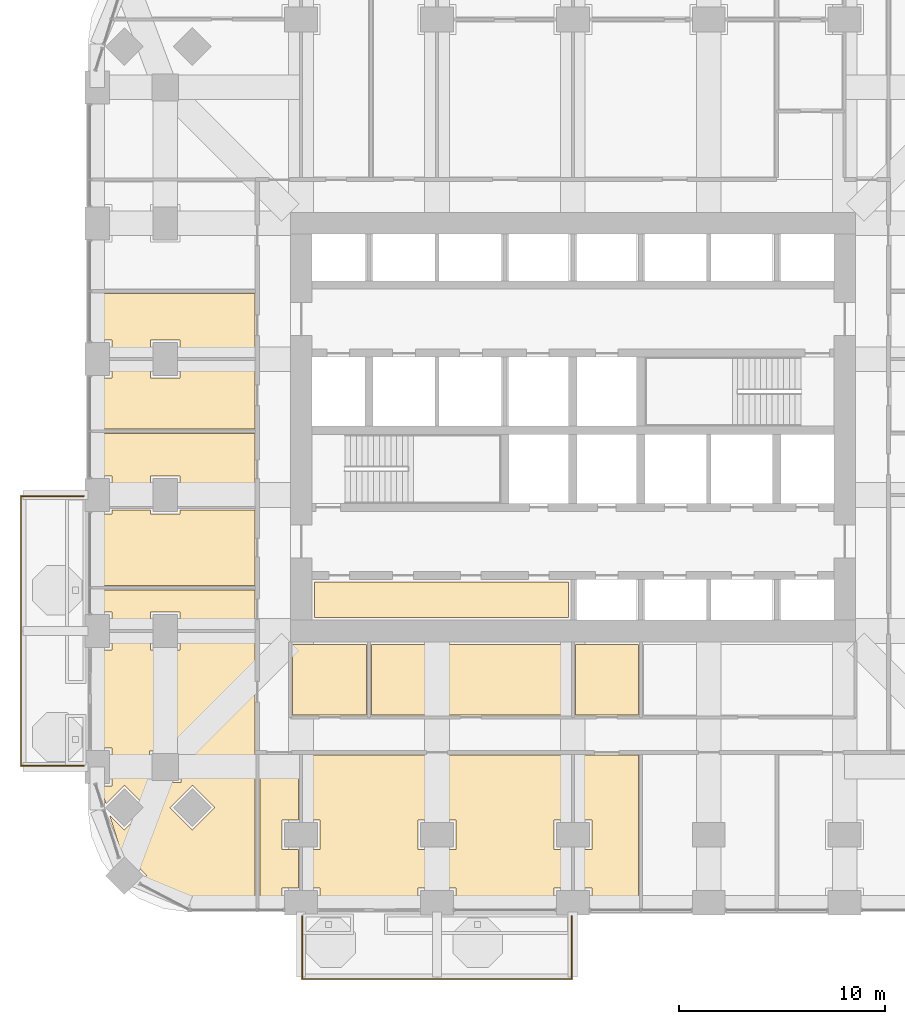
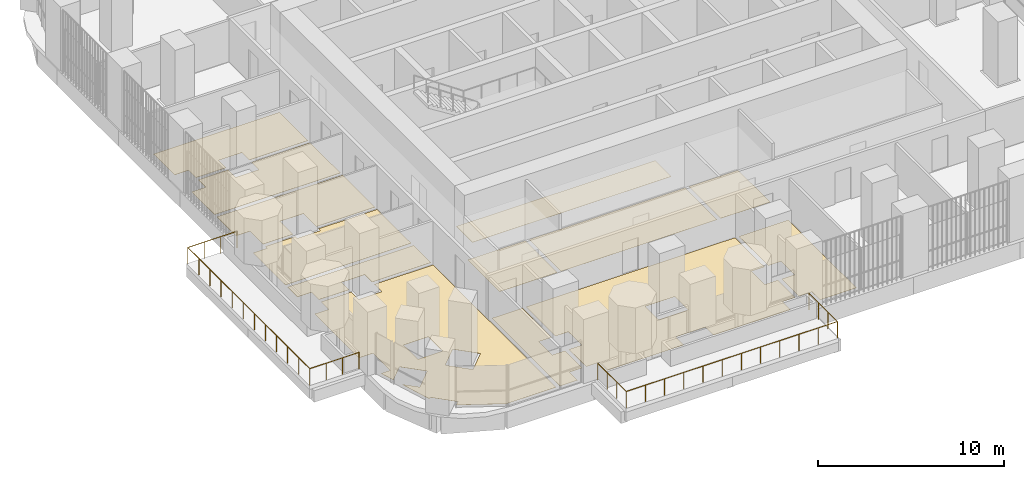
# One storey, part 17 of 21: 13 coverings, 2 railings.
"""IFC4 building model written with IfcOpenShell, lengths in metres."""

from ifc_helpers import new_model, si_unit, direction, frame, origin, place, context, subcontext, project, spatial, polyline, outline, extrude, material, layer, layer_set, type_object, element, save


model = new_model("IFC4")

# Units and contexts
model_context = context("Model", 3, precision=1e-05, world=origin(), true_north=direction((0.0, 1.0)))
body_context = subcontext(model_context, "Body", "Model", "MODEL_VIEW")
ifc_project = project(units=[si_unit("LENGTHUNIT", "METRE"), si_unit("AREAUNIT", "SQUARE_METRE"), si_unit("VOLUMEUNIT", "CUBIC_METRE"), si_unit("PLANEANGLEUNIT", "RADIAN"), si_unit("MASSUNIT", "GRAM", prefix="KILO")], contexts=[model_context])

# Site, building, storey
site_placement = place(None, origin())
site = spatial("IfcSite", under=ifc_project, at=site_placement, CompositionType="ELEMENT")
building_placement = place(site_placement, origin())
building = spatial("IfcBuilding", under=site, at=building_placement, Name="Cobogo Forest Laboratory Tower", CompositionType="ELEMENT")
storey_placement = place(building_placement, frame((0.0, 0.0, 107.39990234375)))
storey = spatial("IfcBuildingStorey", under=building, at=storey_placement, Name="L24", CompositionType="ELEMENT", Elevation=107.39990234375)

# Railings
ifc_material_1 = material(Name="Laminated glass balustrade", Category="glass")
railing_type = type_object("IfcRailingType", Name="BG1 glass balustrade 1100", PredefinedType="GUARDRAIL", material=ifc_material_1)
railing_1_placement = place(storey_placement, frame((13.25, -0.64990234375, 0.0)))
element("IfcRailing", 1, at=railing_1_placement, inside=storey, type_object=railing_type, Name="Balcony balustrade BAL-S1 L24", PredefinedType="GUARDRAIL", context=body_context, shape_type="SweptSolid", body=[
    extrude(outline(polyline([(0.022216796875, 0.00927734375), (0.00927734375, 0.022216796875), (-0.00927734375, 0.022216796875), (-0.022216796875, 0.00927734375), (-0.022216796875, -0.00927734375), (-0.00927734375, -0.022216796875), (0.00927734375, -0.022216796875), (0.022216796875, -0.00927734375), (0.022216796875, 0.00927734375)])), frame((0.0, 0.0, 1.077880859375), z_axis=(0.0, -1.0, 0.0), x_axis=(1.0, 0.0, 0.0)), (0.0, 0.0, 1.0), 3.050048828125),
    extrude(outline(polyline([(0.022216796875, 0.00927734375), (0.00927734375, 0.022216796875), (-0.00927734375, 0.022216796875), (-0.022216796875, 0.00927734375), (-0.022216796875, -0.00927734375), (-0.00927734375, -0.022216796875), (0.00927734375, -0.022216796875), (0.022216796875, -0.00927734375), (0.022216796875, 0.00927734375)])), frame((0.0, -3.050048828125, 1.077880859375), z_axis=(1.0, 0.0, 0.0), x_axis=(0.0, 1.0, 0.0)), (0.0, 0.0, 1.0), 13.10009765625),
    extrude(outline(polyline([(0.022216796875, 0.00927734375), (0.00927734375, 0.022216796875), (-0.00927734375, 0.022216796875), (-0.022216796875, 0.00927734375), (-0.022216796875, -0.00927734375), (-0.00927734375, -0.022216796875), (0.00927734375, -0.022216796875), (0.022216796875, -0.00927734375), (0.022216796875, 0.00927734375)])), frame((13.10009765625, -3.050048828125, 1.077880859375), z_axis=(0.0, 1.0, 0.0), x_axis=(-1.0, 0.0, 0.0)), (0.0, 0.0, 1.0), 3.050048828125),
    extrude(outline(polyline([(0.019287109375, 0.008056640625), (0.008056640625, 0.019287109375), (-0.008056640625, 0.019287109375), (-0.019287109375, 0.008056640625), (-0.019287109375, -0.008056640625), (-0.008056640625, -0.019287109375), (0.008056640625, -0.019287109375), (0.019287109375, -0.008056640625), (0.019287109375, 0.008056640625)])), origin(), (0.0, 0.0, 1.0), 1.077880859375),
    extrude(outline(polyline([(0.019287109375, 0.008056640625), (0.008056640625, 0.019287109375), (-0.008056640625, 0.019287109375), (-0.019287109375, 0.008056640625), (-0.019287109375, -0.008056640625), (-0.008056640625, -0.019287109375), (0.008056640625, -0.019287109375), (0.019287109375, -0.008056640625), (0.019287109375, 0.008056640625)])), frame((0.0, -1.0166015625, 0.0)), (0.0, 0.0, 1.0), 1.077880859375),
    extrude(outline(polyline([(0.019287109375, 0.008056640625), (0.008056640625, 0.019287109375), (-0.008056640625, 0.019287109375), (-0.019287109375, 0.008056640625), (-0.019287109375, -0.008056640625), (-0.008056640625, -0.019287109375), (0.008056640625, -0.019287109375), (0.019287109375, -0.008056640625), (0.019287109375, 0.008056640625)])), frame((0.0, -2.033447265625, 0.0)), (0.0, 0.0, 1.0), 1.077880859375),
    extrude(outline(polyline([(0.019287109375, 0.008056640625), (0.008056640625, 0.019287109375), (-0.008056640625, 0.019287109375), (-0.019287109375, 0.008056640625), (-0.019287109375, -0.008056640625), (-0.008056640625, -0.019287109375), (0.008056640625, -0.019287109375), (0.019287109375, -0.008056640625), (0.019287109375, 0.008056640625)])), frame((0.0, -3.050048828125, 0.0)), (0.0, 0.0, 1.0), 1.077880859375),
    extrude(outline(polyline([(0.019287109375, 0.008056640625), (0.008056640625, 0.019287109375), (-0.008056640625, 0.019287109375), (-0.019287109375, 0.008056640625), (-0.019287109375, -0.008056640625), (-0.008056640625, -0.019287109375), (0.008056640625, -0.019287109375), (0.019287109375, -0.008056640625), (0.019287109375, 0.008056640625)])), frame((1.19091796875, -3.050048828125, 0.0)), (0.0, 0.0, 1.0), 1.077880859375),
    extrude(outline(polyline([(0.019287109375, 0.008056640625), (0.008056640625, 0.019287109375), (-0.008056640625, 0.019287109375), (-0.019287109375, 0.008056640625), (-0.019287109375, -0.008056640625), (-0.008056640625, -0.019287109375), (0.008056640625, -0.019287109375), (0.019287109375, -0.008056640625), (0.019287109375, 0.008056640625)])), frame((2.3818359375, -3.050048828125, 0.0)), (0.0, 0.0, 1.0), 1.077880859375),
    extrude(outline(polyline([(0.019287109375, 0.008056640625), (0.008056640625, 0.019287109375), (-0.008056640625, 0.019287109375), (-0.019287109375, 0.008056640625), (-0.019287109375, -0.008056640625), (-0.008056640625, -0.019287109375), (0.008056640625, -0.019287109375), (0.019287109375, -0.008056640625), (0.019287109375, 0.008056640625)])), frame((3.57275390625, -3.050048828125, 0.0)), (0.0, 0.0, 1.0), 1.077880859375),
    extrude(outline(polyline([(0.019287109375, 0.008056640625), (0.008056640625, 0.019287109375), (-0.008056640625, 0.019287109375), (-0.019287109375, 0.008056640625), (-0.019287109375, -0.008056640625), (-0.008056640625, -0.019287109375), (0.008056640625, -0.019287109375), (0.019287109375, -0.008056640625), (0.019287109375, 0.008056640625)])), frame((4.763671875, -3.050048828125, 0.0)), (0.0, 0.0, 1.0), 1.077880859375),
    extrude(outline(polyline([(0.019287109375, 0.008056640625), (0.008056640625, 0.019287109375), (-0.008056640625, 0.019287109375), (-0.019287109375, 0.008056640625), (-0.019287109375, -0.008056640625), (-0.008056640625, -0.019287109375), (0.008056640625, -0.019287109375), (0.019287109375, -0.008056640625), (0.019287109375, 0.008056640625)])), frame((5.95458984375, -3.050048828125, 0.0)), (0.0, 0.0, 1.0), 1.077880859375),
    extrude(outline(polyline([(0.019287109375, 0.008056640625), (0.008056640625, 0.019287109375), (-0.008056640625, 0.019287109375), (-0.019287109375, 0.008056640625), (-0.019287109375, -0.008056640625), (-0.008056640625, -0.019287109375), (0.008056640625, -0.019287109375), (0.019287109375, -0.008056640625), (0.019287109375, 0.008056640625)])), frame((7.1455078125, -3.050048828125, 0.0)), (0.0, 0.0, 1.0), 1.077880859375),
    extrude(outline(polyline([(0.019287109375, 0.008056640625), (0.008056640625, 0.019287109375), (-0.008056640625, 0.019287109375), (-0.019287109375, 0.008056640625), (-0.019287109375, -0.008056640625), (-0.008056640625, -0.019287109375), (0.008056640625, -0.019287109375), (0.019287109375, -0.008056640625), (0.019287109375, 0.008056640625)])), frame((8.33642578125, -3.050048828125, 0.0)), (0.0, 0.0, 1.0), 1.077880859375),
    extrude(outline(polyline([(0.019287109375, 0.008056640625), (0.008056640625, 0.019287109375), (-0.008056640625, 0.019287109375), (-0.019287109375, 0.008056640625), (-0.019287109375, -0.008056640625), (-0.008056640625, -0.019287109375), (0.008056640625, -0.019287109375), (0.019287109375, -0.008056640625), (0.019287109375, 0.008056640625)])), frame((9.52734375, -3.050048828125, 0.0)), (0.0, 0.0, 1.0), 1.077880859375),
    extrude(outline(polyline([(0.019287109375, 0.008056640625), (0.008056640625, 0.019287109375), (-0.008056640625, 0.019287109375), (-0.019287109375, 0.008056640625), (-0.019287109375, -0.008056640625), (-0.008056640625, -0.019287109375), (0.008056640625, -0.019287109375), (0.019287109375, -0.008056640625), (0.019287109375, 0.008056640625)])), frame((10.71826171875, -3.050048828125, 0.0)), (0.0, 0.0, 1.0), 1.077880859375),
    extrude(outline(polyline([(0.019287109375, 0.008056640625), (0.008056640625, 0.019287109375), (-0.008056640625, 0.019287109375), (-0.019287109375, 0.008056640625), (-0.019287109375, -0.008056640625), (-0.008056640625, -0.019287109375), (0.008056640625, -0.019287109375), (0.019287109375, -0.008056640625), (0.019287109375, 0.008056640625)])), frame((11.9091796875, -3.050048828125, 0.0)), (0.0, 0.0, 1.0), 1.077880859375),
    extrude(outline(polyline([(0.019287109375, 0.008056640625), (0.008056640625, 0.019287109375), (-0.008056640625, 0.019287109375), (-0.019287109375, 0.008056640625), (-0.019287109375, -0.008056640625), (-0.008056640625, -0.019287109375), (0.008056640625, -0.019287109375), (0.019287109375, -0.008056640625), (0.019287109375, 0.008056640625)])), frame((13.10009765625, -3.050048828125, 0.0)), (0.0, 0.0, 1.0), 1.077880859375),
    extrude(outline(polyline([(0.019287109375, 0.008056640625), (0.008056640625, 0.019287109375), (-0.008056640625, 0.019287109375), (-0.019287109375, 0.008056640625), (-0.019287109375, -0.008056640625), (-0.008056640625, -0.019287109375), (0.008056640625, -0.019287109375), (0.019287109375, -0.008056640625), (0.019287109375, 0.008056640625)])), frame((13.10009765625, -2.033447265625, 0.0)), (0.0, 0.0, 1.0), 1.077880859375),
    extrude(outline(polyline([(0.019287109375, 0.008056640625), (0.008056640625, 0.019287109375), (-0.008056640625, 0.019287109375), (-0.019287109375, 0.008056640625), (-0.019287109375, -0.008056640625), (-0.008056640625, -0.019287109375), (0.008056640625, -0.019287109375), (0.019287109375, -0.008056640625), (0.019287109375, 0.008056640625)])), frame((13.10009765625, -1.0166015625, 0.0)), (0.0, 0.0, 1.0), 1.077880859375),
    extrude(outline(polyline([(0.019287109375, 0.008056640625), (0.008056640625, 0.019287109375), (-0.008056640625, 0.019287109375), (-0.019287109375, 0.008056640625), (-0.019287109375, -0.008056640625), (-0.008056640625, -0.019287109375), (0.008056640625, -0.019287109375), (0.019287109375, -0.008056640625), (0.019287109375, 0.008056640625)])), frame((13.10009765625, 0.0, 0.0)), (0.0, 0.0, 1.0), 1.077880859375),
])
railing_2_placement = place(storey_placement, frame((2.64990234375, 6.64990234375, 0.0)))
element("IfcRailing", 2, at=railing_2_placement, inside=storey, type_object=railing_type, Name="Balcony balustrade BAL-W1 L24", PredefinedType="GUARDRAIL", context=body_context, shape_type="SweptSolid", body=[
    extrude(outline(polyline([(0.022216796875, 0.00927734375), (0.00927734375, 0.022216796875), (-0.00927734375, 0.022216796875), (-0.022216796875, 0.00927734375), (-0.022216796875, -0.00927734375), (-0.00927734375, -0.022216796875), (0.00927734375, -0.022216796875), (0.022216796875, -0.00927734375), (0.022216796875, 0.00927734375)])), frame((0.0, 0.0, 1.077880859375), z_axis=(-1.0, 0.0, 0.0), x_axis=(0.0, -1.0, 0.0)), (0.0, 0.0, 1.0), 3.0498046875),
    extrude(outline(polyline([(0.022216796875, 0.00927734375), (0.00927734375, 0.022216796875), (-0.00927734375, 0.022216796875), (-0.022216796875, 0.00927734375), (-0.022216796875, -0.00927734375), (-0.00927734375, -0.022216796875), (0.00927734375, -0.022216796875), (0.022216796875, -0.00927734375), (0.022216796875, 0.00927734375)])), frame((-3.0498046875, 0.0, 1.077880859375), z_axis=(0.0, 1.0, 0.0), x_axis=(-1.0, 0.0, 0.0)), (0.0, 0.0, 1.0), 13.10009765625),
    extrude(outline(polyline([(0.022216796875, 0.00927734375), (0.00927734375, 0.022216796875), (-0.00927734375, 0.022216796875), (-0.022216796875, 0.00927734375), (-0.022216796875, -0.00927734375), (-0.00927734375, -0.022216796875), (0.00927734375, -0.022216796875), (0.022216796875, -0.00927734375), (0.022216796875, 0.00927734375)])), frame((-3.0498046875, 13.10009765625, 1.077880859375), z_axis=(1.0, 0.0, 0.0), x_axis=(0.0, 1.0, 0.0)), (0.0, 0.0, 1.0), 3.0498046875),
    extrude(outline(polyline([(0.019287109375, 0.008056640625), (0.008056640625, 0.019287109375), (-0.008056640625, 0.019287109375), (-0.019287109375, 0.008056640625), (-0.019287109375, -0.008056640625), (-0.008056640625, -0.019287109375), (0.008056640625, -0.019287109375), (0.019287109375, -0.008056640625), (0.019287109375, 0.008056640625)])), origin(), (0.0, 0.0, 1.0), 1.077880859375),
    extrude(outline(polyline([(0.019287109375, 0.008056640625), (0.008056640625, 0.019287109375), (-0.008056640625, 0.019287109375), (-0.019287109375, 0.008056640625), (-0.019287109375, -0.008056640625), (-0.008056640625, -0.019287109375), (0.008056640625, -0.019287109375), (0.019287109375, -0.008056640625), (0.019287109375, 0.008056640625)])), frame((-1.0166015625, 0.0, 0.0)), (0.0, 0.0, 1.0), 1.077880859375),
    extrude(outline(polyline([(0.019287109375, 0.008056640625), (0.008056640625, 0.019287109375), (-0.008056640625, 0.019287109375), (-0.019287109375, 0.008056640625), (-0.019287109375, -0.008056640625), (-0.008056640625, -0.019287109375), (0.008056640625, -0.019287109375), (0.019287109375, -0.008056640625), (0.019287109375, 0.008056640625)])), frame((-2.033203125, 0.0, 0.0)), (0.0, 0.0, 1.0), 1.077880859375),
    extrude(outline(polyline([(0.019287109375, 0.008056640625), (0.008056640625, 0.019287109375), (-0.008056640625, 0.019287109375), (-0.019287109375, 0.008056640625), (-0.019287109375, -0.008056640625), (-0.008056640625, -0.019287109375), (0.008056640625, -0.019287109375), (0.019287109375, -0.008056640625), (0.019287109375, 0.008056640625)])), frame((-3.0498046875, 0.0, 0.0)), (0.0, 0.0, 1.0), 1.077880859375),
    extrude(outline(polyline([(0.019287109375, 0.008056640625), (0.008056640625, 0.019287109375), (-0.008056640625, 0.019287109375), (-0.019287109375, 0.008056640625), (-0.019287109375, -0.008056640625), (-0.008056640625, -0.019287109375), (0.008056640625, -0.019287109375), (0.019287109375, -0.008056640625), (0.019287109375, 0.008056640625)])), frame((-3.0498046875, 1.19091796875, 0.0)), (0.0, 0.0, 1.0), 1.077880859375),
    extrude(outline(polyline([(0.019287109375, 0.008056640625), (0.008056640625, 0.019287109375), (-0.008056640625, 0.019287109375), (-0.019287109375, 0.008056640625), (-0.019287109375, -0.008056640625), (-0.008056640625, -0.019287109375), (0.008056640625, -0.019287109375), (0.019287109375, -0.008056640625), (0.019287109375, 0.008056640625)])), frame((-3.0498046875, 2.3818359375, 0.0)), (0.0, 0.0, 1.0), 1.077880859375),
    extrude(outline(polyline([(0.019287109375, 0.008056640625), (0.008056640625, 0.019287109375), (-0.008056640625, 0.019287109375), (-0.019287109375, 0.008056640625), (-0.019287109375, -0.008056640625), (-0.008056640625, -0.019287109375), (0.008056640625, -0.019287109375), (0.019287109375, -0.008056640625), (0.019287109375, 0.008056640625)])), frame((-3.0498046875, 3.57275390625, 0.0)), (0.0, 0.0, 1.0), 1.077880859375),
    extrude(outline(polyline([(0.019287109375, 0.008056640625), (0.008056640625, 0.019287109375), (-0.008056640625, 0.019287109375), (-0.019287109375, 0.008056640625), (-0.019287109375, -0.008056640625), (-0.008056640625, -0.019287109375), (0.008056640625, -0.019287109375), (0.019287109375, -0.008056640625), (0.019287109375, 0.008056640625)])), frame((-3.0498046875, 4.763671875, 0.0)), (0.0, 0.0, 1.0), 1.077880859375),
    extrude(outline(polyline([(0.019287109375, 0.008056640625), (0.008056640625, 0.019287109375), (-0.008056640625, 0.019287109375), (-0.019287109375, 0.008056640625), (-0.019287109375, -0.008056640625), (-0.008056640625, -0.019287109375), (0.008056640625, -0.019287109375), (0.019287109375, -0.008056640625), (0.019287109375, 0.008056640625)])), frame((-3.0498046875, 5.95458984375, 0.0)), (0.0, 0.0, 1.0), 1.077880859375),
    extrude(outline(polyline([(0.019287109375, 0.008056640625), (0.008056640625, 0.019287109375), (-0.008056640625, 0.019287109375), (-0.019287109375, 0.008056640625), (-0.019287109375, -0.008056640625), (-0.008056640625, -0.019287109375), (0.008056640625, -0.019287109375), (0.019287109375, -0.008056640625), (0.019287109375, 0.008056640625)])), frame((-3.0498046875, 7.1455078125, 0.0)), (0.0, 0.0, 1.0), 1.077880859375),
    extrude(outline(polyline([(0.019287109375, 0.008056640625), (0.008056640625, 0.019287109375), (-0.008056640625, 0.019287109375), (-0.019287109375, 0.008056640625), (-0.019287109375, -0.008056640625), (-0.008056640625, -0.019287109375), (0.008056640625, -0.019287109375), (0.019287109375, -0.008056640625), (0.019287109375, 0.008056640625)])), frame((-3.0498046875, 8.33642578125, 0.0)), (0.0, 0.0, 1.0), 1.077880859375),
    extrude(outline(polyline([(0.019287109375, 0.008056640625), (0.008056640625, 0.019287109375), (-0.008056640625, 0.019287109375), (-0.019287109375, 0.008056640625), (-0.019287109375, -0.008056640625), (-0.008056640625, -0.019287109375), (0.008056640625, -0.019287109375), (0.019287109375, -0.008056640625), (0.019287109375, 0.008056640625)])), frame((-3.0498046875, 9.52734375, 0.0)), (0.0, 0.0, 1.0), 1.077880859375),
    extrude(outline(polyline([(0.019287109375, 0.008056640625), (0.008056640625, 0.019287109375), (-0.008056640625, 0.019287109375), (-0.019287109375, 0.008056640625), (-0.019287109375, -0.008056640625), (-0.008056640625, -0.019287109375), (0.008056640625, -0.019287109375), (0.019287109375, -0.008056640625), (0.019287109375, 0.008056640625)])), frame((-3.0498046875, 10.71826171875, 0.0)), (0.0, 0.0, 1.0), 1.077880859375),
    extrude(outline(polyline([(0.019287109375, 0.008056640625), (0.008056640625, 0.019287109375), (-0.008056640625, 0.019287109375), (-0.019287109375, 0.008056640625), (-0.019287109375, -0.008056640625), (-0.008056640625, -0.019287109375), (0.008056640625, -0.019287109375), (0.019287109375, -0.008056640625), (0.019287109375, 0.008056640625)])), frame((-3.0498046875, 11.9091796875, 0.0)), (0.0, 0.0, 1.0), 1.077880859375),
    extrude(outline(polyline([(0.019287109375, 0.008056640625), (0.008056640625, 0.019287109375), (-0.008056640625, 0.019287109375), (-0.019287109375, 0.008056640625), (-0.019287109375, -0.008056640625), (-0.008056640625, -0.019287109375), (0.008056640625, -0.019287109375), (0.019287109375, -0.008056640625), (0.019287109375, 0.008056640625)])), frame((-3.0498046875, 13.10009765625, 0.0)), (0.0, 0.0, 1.0), 1.077880859375),
    extrude(outline(polyline([(0.019287109375, 0.008056640625), (0.008056640625, 0.019287109375), (-0.008056640625, 0.019287109375), (-0.019287109375, 0.008056640625), (-0.019287109375, -0.008056640625), (-0.008056640625, -0.019287109375), (0.008056640625, -0.019287109375), (0.019287109375, -0.008056640625), (0.019287109375, 0.008056640625)])), frame((-2.033203125, 13.10009765625, 0.0)), (0.0, 0.0, 1.0), 1.077880859375),
    extrude(outline(polyline([(0.019287109375, 0.008056640625), (0.008056640625, 0.019287109375), (-0.008056640625, 0.019287109375), (-0.019287109375, 0.008056640625), (-0.019287109375, -0.008056640625), (-0.008056640625, -0.019287109375), (0.008056640625, -0.019287109375), (0.019287109375, -0.008056640625), (0.019287109375, 0.008056640625)])), frame((-1.0166015625, 13.10009765625, 0.0)), (0.0, 0.0, 1.0), 1.077880859375),
    extrude(outline(polyline([(0.019287109375, 0.008056640625), (0.008056640625, 0.019287109375), (-0.008056640625, 0.019287109375), (-0.019287109375, 0.008056640625), (-0.019287109375, -0.008056640625), (-0.008056640625, -0.019287109375), (0.008056640625, -0.019287109375), (0.019287109375, -0.008056640625), (0.019287109375, 0.008056640625)])), frame((0.0, 13.10009765625, 0.0)), (0.0, 0.0, 1.0), 1.077880859375),
])

# Coverings
ifc_material_2 = material(Name="Carpet tile on raised access floor", Category="flooring")
ifc_layer_1 = layer(ifc_material_2, 0.008056640625)
ifc_layer_set_1 = layer_set([ifc_layer_1], Name="CT1 carpet tile floor 8")
covering_type_1 = type_object("IfcCoveringType", Name="CT1 carpet tile floor 8", PredefinedType="FLOORING", material=ifc_layer_set_1)
covering_1_placement = place(storey_placement, origin())
element("IfcCovering", 3, at=covering_1_placement, inside=storey, type_object=covering_type_1, Name="Carpet floor L24-26", PredefinedType="FLOORING", context=body_context, shape_type="SweptSolid", body=[
    extrude(outline(polyline([(3.904052734375, 4.2431640625), (4.617919921875, 3.529052734375), (5.70703125, 4.617919921875), (4.617919921875, 5.70703125), (3.72412109375, 4.81298828125), (3.4501953125, 5.679931640625), (4.02001953125, 5.679931640625), (4.02001953125, 7.52001953125), (3.14990234375, 7.52001953125), (3.14990234375, 12.280029296875), (4.02001953125, 12.280029296875), (4.02001953125, 13.080078125), (5.8798828125, 13.080078125), (5.8798828125, 12.280029296875), (7.320068359375, 12.280029296875), (7.320068359375, 13.080078125), (10.955078125, 13.080078125), (10.955078125, -0.14990234375), (7.84912109375, -0.14990234375), (5.480712890625, 1.091552734375), (5.70703125, 1.318115234375), (4.617919921875, 2.406982421875), (4.51611328125, 2.304931640625), (3.904052734375, 4.2431640625)]), holes=[polyline([(6.8291015625, 4.617919921875), (7.91796875, 3.529052734375), (9.007080078125, 4.617919921875), (7.91796875, 5.70703125), (6.8291015625, 4.617919921875)]), polyline([(5.830078125, 7.3701171875), (5.830078125, 5.830078125), (7.3701171875, 5.830078125), (7.3701171875, 7.3701171875), (5.830078125, 7.3701171875)])]), origin(), (0.0, 0.0, 1.0), 0.008056640625),
])
covering_2_placement = place(storey_placement, origin())
element("IfcCovering", 4, at=covering_2_placement, inside=storey, type_object=covering_type_1, Name="Carpet floor L24-31", PredefinedType="FLOORING", context=body_context, shape_type="SweptSolid", body=[
    extrude(outline(polyline([(10.955078125, 26.52001953125), (7.320068359375, 26.52001953125), (7.320068359375, 27.320068359375), (5.8798828125, 27.320068359375), (5.8798828125, 26.52001953125), (4.02001953125, 26.52001953125), (4.02001953125, 27.320068359375), (3.14990234375, 27.320068359375), (3.14990234375, 29.580078125), (10.955078125, 29.580078125), (10.955078125, 26.52001953125)])), origin(), (0.0, 0.0, 1.0), 0.008056640625),
])
covering_3_placement = place(storey_placement, origin())
element("IfcCovering", 5, at=covering_3_placement, inside=storey, type_object=covering_type_1, Name="Carpet floor L24-40", PredefinedType="FLOORING", context=body_context, shape_type="SweptSolid", body=[
    extrude(outline(polyline([(26.179931640625, 13.844970703125), (13.844970703125, 13.844970703125), (13.844970703125, 15.580078125), (26.179931640625, 15.580078125), (26.179931640625, 13.844970703125)])), origin(), (0.0, 0.0, 1.0), 0.008056640625),
])
ifc_material_3 = material(Name="Epoxy resin flooring", Category="flooring")
ifc_layer_2 = layer(ifc_material_3, 0.00390625)
ifc_layer_set_2 = layer_set([ifc_layer_2], Name="LF1 epoxy laboratory floor 4")
covering_type_2 = type_object("IfcCoveringType", Name="LF1 epoxy laboratory floor 4", PredefinedType="FLOORING", material=ifc_layer_set_2)
covering_4_placement = place(storey_placement, origin())
element("IfcCovering", 6, at=covering_4_placement, inside=storey, type_object=covering_type_2, Name="Epoxy laboratory floor L24-02", PredefinedType="FLOORING", context=body_context, shape_type="SweptSolid", body=[
    extrude(outline(polyline([(26.280029296875, 9.1201171875), (16.6201171875, 9.1201171875), (16.6201171875, 12.554931640625), (26.280029296875, 12.554931640625), (26.280029296875, 9.1201171875)])), origin(), (0.0, 0.0, 1.0), 0.004150390625),
])
covering_5_placement = place(storey_placement, origin())
element("IfcCovering", 7, at=covering_5_placement, inside=storey, type_object=covering_type_2, Name="Epoxy laboratory floor L24-05", PredefinedType="FLOORING", context=body_context, shape_type="SweptSolid", body=[
    extrude(outline(polyline([(13.080078125, 7.179931640625), (13.080078125, 4.02001953125), (12.280029296875, 4.02001953125), (12.280029296875, 2.580078125), (13.080078125, 2.580078125), (13.080078125, 0.719970703125), (12.280029296875, 0.719970703125), (12.280029296875, -0.14990234375), (11.195068359375, -0.14990234375), (11.195068359375, 7.179931640625), (13.080078125, 7.179931640625)])), origin(), (0.0, 0.0, 1.0), 0.004150390625),
])
covering_6_placement = place(storey_placement, origin())
element("IfcCovering", 8, at=covering_6_placement, inside=storey, type_object=covering_type_2, Name="Epoxy laboratory floor L24-06", PredefinedType="FLOORING", context=body_context, shape_type="SweptSolid", body=[
    extrude(outline(polyline([(26.280029296875, 7.179931640625), (26.280029296875, 4.02001953125), (25.47998046875, 4.02001953125), (25.47998046875, 2.580078125), (26.280029296875, 2.580078125), (26.280029296875, 0.719970703125), (25.47998046875, 0.719970703125), (25.47998046875, -0.14990234375), (20.719970703125, -0.14990234375), (20.719970703125, 0.719970703125), (18.8798828125, 0.719970703125), (18.8798828125, -0.14990234375), (14.1201171875, -0.14990234375), (14.1201171875, 0.719970703125), (13.320068359375, 0.719970703125), (13.320068359375, 2.580078125), (14.1201171875, 2.580078125), (14.1201171875, 4.02001953125), (13.320068359375, 4.02001953125), (13.320068359375, 7.179931640625), (26.280029296875, 7.179931640625)]), holes=[polyline([(18.8798828125, 4.02001953125), (18.8798828125, 2.580078125), (20.719970703125, 2.580078125), (20.719970703125, 4.02001953125), (18.8798828125, 4.02001953125)])]), origin(), (0.0, 0.0, 1.0), 0.004150390625),
])
covering_7_placement = place(storey_placement, origin())
element("IfcCovering", 9, at=covering_7_placement, inside=storey, type_object=covering_type_2, Name="Epoxy laboratory floor L24-07", PredefinedType="FLOORING", context=body_context, shape_type="SweptSolid", body=[
    extrude(outline(polyline([(29.580078125, 7.179931640625), (29.580078125, -0.14990234375), (27.320068359375, -0.14990234375), (27.320068359375, 0.719970703125), (26.52001953125, 0.719970703125), (26.52001953125, 2.580078125), (27.320068359375, 2.580078125), (27.320068359375, 4.02001953125), (26.52001953125, 4.02001953125), (26.52001953125, 7.179931640625), (29.580078125, 7.179931640625)])), origin(), (0.0, 0.0, 1.0), 0.004150390625),
])
ifc_material_4 = material(Name="Ceramic floor tile", Category="flooring")
ifc_layer_3 = layer(ifc_material_4, 0.010009765625)
ifc_layer_set_3 = layer_set([ifc_layer_3], Name="TF1 ceramic tile floor 10")
covering_type_3 = type_object("IfcCoveringType", Name="TF1 ceramic tile floor 10", PredefinedType="FLOORING", material=ifc_layer_set_3)
covering_8_placement = place(storey_placement, origin())
element("IfcCovering", 10, at=covering_8_placement, inside=storey, type_object=covering_type_3, Name="Tile floor L24-01", PredefinedType="FLOORING", context=body_context, shape_type="SweptSolid", body=[
    extrude(outline(polyline([(16.3798828125, 9.1201171875), (12.794921875, 9.1201171875), (12.794921875, 12.554931640625), (16.3798828125, 12.554931640625), (16.3798828125, 9.1201171875)])), origin(), (0.0, 0.0, 1.0), 0.010009765625),
])
covering_9_placement = place(storey_placement, origin())
element("IfcCovering", 11, at=covering_9_placement, inside=storey, type_object=covering_type_3, Name="Tile floor L24-03", PredefinedType="FLOORING", context=body_context, shape_type="SweptSolid", body=[
    extrude(outline(polyline([(29.580078125, 9.1201171875), (26.52001953125, 9.1201171875), (26.52001953125, 12.554931640625), (29.580078125, 12.554931640625), (29.580078125, 9.1201171875)])), origin(), (0.0, 0.0, 1.0), 0.010009765625),
])
covering_10_placement = place(storey_placement, origin())
element("IfcCovering", 12, at=covering_10_placement, inside=storey, type_object=covering_type_3, Name="Tile floor L24-27", PredefinedType="FLOORING", context=body_context, shape_type="SweptSolid", body=[
    extrude(outline(polyline([(10.955078125, 13.320068359375), (7.320068359375, 13.320068359375), (7.320068359375, 14.1201171875), (5.8798828125, 14.1201171875), (5.8798828125, 13.320068359375), (4.02001953125, 13.320068359375), (4.02001953125, 14.1201171875), (3.14990234375, 14.1201171875), (3.14990234375, 15.179931640625), (10.955078125, 15.179931640625), (10.955078125, 13.320068359375)])), origin(), (0.0, 0.0, 1.0), 0.010009765625),
])
covering_11_placement = place(storey_placement, origin())
element("IfcCovering", 13, at=covering_11_placement, inside=storey, type_object=covering_type_3, Name="Tile floor L24-28", PredefinedType="FLOORING", context=body_context, shape_type="SweptSolid", body=[
    extrude(outline(polyline([(10.955078125, 15.419921875), (3.14990234375, 15.419921875), (3.14990234375, 18.8798828125), (4.02001953125, 18.8798828125), (4.02001953125, 19.080078125), (5.8798828125, 19.080078125), (5.8798828125, 18.8798828125), (7.320068359375, 18.8798828125), (7.320068359375, 19.080078125), (10.955078125, 19.080078125), (10.955078125, 15.419921875)])), origin(), (0.0, 0.0, 1.0), 0.010009765625),
])
covering_12_placement = place(storey_placement, origin())
element("IfcCovering", 14, at=covering_12_placement, inside=storey, type_object=covering_type_3, Name="Tile floor L24-29", PredefinedType="FLOORING", context=body_context, shape_type="SweptSolid", body=[
    extrude(outline(polyline([(10.955078125, 19.320068359375), (7.320068359375, 19.320068359375), (7.320068359375, 20.719970703125), (5.8798828125, 20.719970703125), (5.8798828125, 19.320068359375), (4.02001953125, 19.320068359375), (4.02001953125, 20.719970703125), (3.14990234375, 20.719970703125), (3.14990234375, 22.780029296875), (10.955078125, 22.780029296875), (10.955078125, 19.320068359375)])), origin(), (0.0, 0.0, 1.0), 0.010009765625),
])
covering_13_placement = place(storey_placement, origin())
element("IfcCovering", 15, at=covering_13_placement, inside=storey, type_object=covering_type_3, Name="Tile floor L24-30", PredefinedType="FLOORING", context=body_context, shape_type="SweptSolid", body=[
    extrude(outline(polyline([(10.955078125, 23.02001953125), (3.14990234375, 23.02001953125), (3.14990234375, 25.47998046875), (4.02001953125, 25.47998046875), (4.02001953125, 26.280029296875), (5.8798828125, 26.280029296875), (5.8798828125, 25.47998046875), (7.320068359375, 25.47998046875), (7.320068359375, 26.280029296875), (10.955078125, 26.280029296875), (10.955078125, 23.02001953125)])), origin(), (0.0, 0.0, 1.0), 0.010009765625),
])

save(model, "model.ifc")
